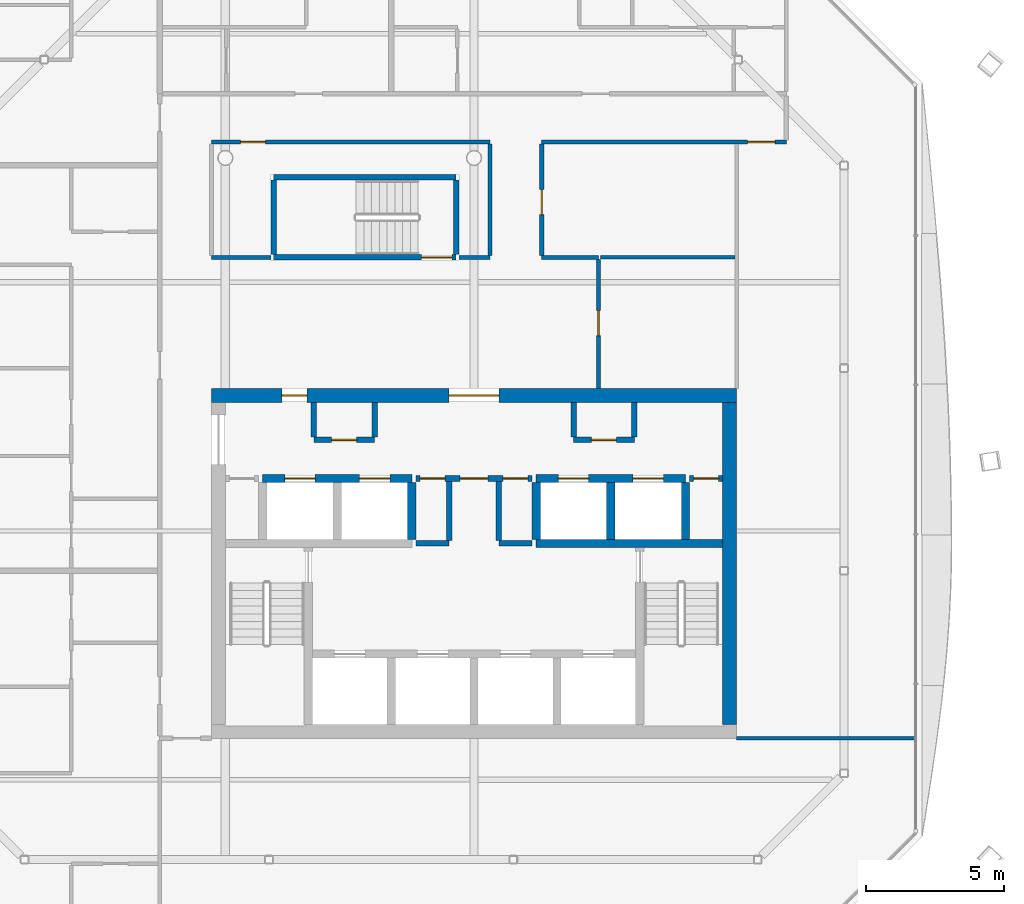
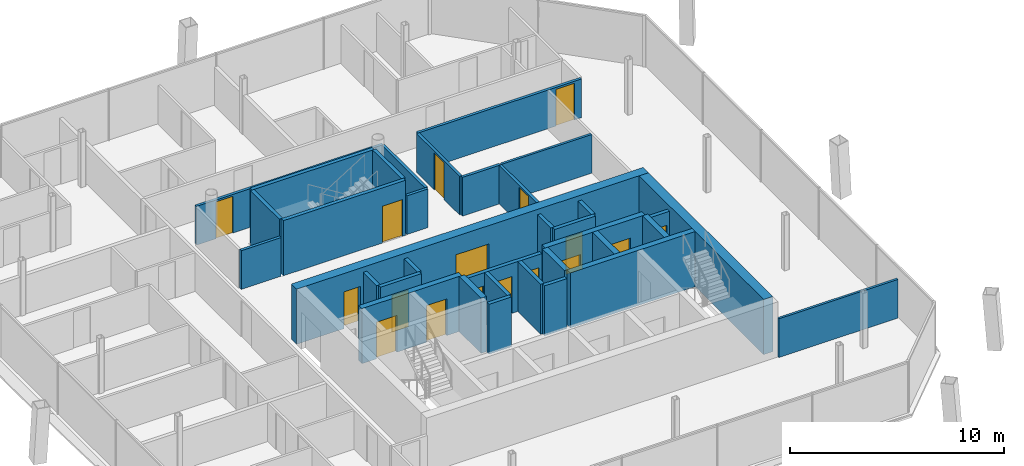
# One storey, part 13 of 18: 35 walls, 17 doors, 17 openings.
"""IFC4 building model written with IfcOpenShell, lengths in metres."""

from ifc_helpers import new_model, si_unit, direction, frame, frame_2d, origin, place, context, subcontext, project, spatial, rectangle, extrude, material, layer, layer_set, type_object, element, fill, save


model = new_model("IFC4")

# Units and contexts
model_context = context("Model", 3, precision=1e-05, world=origin(), true_north=direction((0.0, 1.0)))
body_context = subcontext(model_context, "Body", "Model", "MODEL_VIEW")
ifc_project = project(units=[si_unit("LENGTHUNIT", "METRE"), si_unit("AREAUNIT", "SQUARE_METRE"), si_unit("VOLUMEUNIT", "CUBIC_METRE"), si_unit("PLANEANGLEUNIT", "RADIAN"), si_unit("MASSUNIT", "GRAM", prefix="KILO")], contexts=[model_context])

# Site, building, storey
site_placement = place(None, origin())
site = spatial("IfcSite", under=ifc_project, at=site_placement, CompositionType="ELEMENT")
building_placement = place(site_placement, origin())
building = spatial("IfcBuilding", under=site, at=building_placement, Name="Tskaro Facet Tower", CompositionType="ELEMENT")
storey_placement = place(building_placement, frame((0.0, 0.0, 223.5)))
storey = spatial("IfcBuildingStorey", under=building, at=storey_placement, Name="L57", CompositionType="ELEMENT", Elevation=223.5)

# Wall
ifc_material_1 = material(Name="Concrete C60/75", Category="concrete")
ifc_layer_1 = layer(ifc_material_1, 0.300048828125, Name="Concrete C60/75")
ifc_layer_set_1 = layer_set([ifc_layer_1], Name="Concrete C60/75")
wall_type_1 = type_object("IfcWallType", Name="CORE-SHAFT", PredefinedType="SHEAR", material=ifc_layer_set_1)
wall_1_placement = place(storey_placement, frame((2.25, -4.949951171875, 0.0), z_axis=(0.0, 0.0, 1.0), x_axis=(1.0, 0.0, 0.0)))
element("IfcWall", 1, at=wall_1_placement, inside=storey, type_object=wall_type_1, Name="Shaft wall W014", PredefinedType="SHEAR", context=body_context, shape_type="SweptSolid", body=[
    extrude(rectangle(XDim=6.75, YDim=0.300048828125, at=frame_2d((3.375, 0.0))), origin(), (0.0, 0.0, 1.0), 3.14990234375),
])

# Wall, openings, doors
wall_2_placement = place(storey_placement, frame((-7.64990234375, -2.60009765625, 0.0), z_axis=(0.0, 0.0, 1.0), x_axis=(1.0, 0.0, 0.0)))
wall_2 = element("IfcWall", 2, at=wall_2_placement, inside=storey, type_object=wall_type_1, Name="Shaft wall W017", PredefinedType="SHEAR", context=body_context, shape_type="SweptSolid", body=[
    extrude(rectangle(XDim=5.39990234375, YDim=0.300048828125, at=frame_2d((2.699951171875, 0.0))), origin(), (0.0, 0.0, 1.0), 3.14990234375),
])
opening_1_placement = place(wall_2_placement, frame((0.800048828125, 0.0, 0.0)))
opening_1 = element("IfcOpeningElement", 3, at=opening_1_placement, cuts=wall_2, Name="Opening LD-HB1", PredefinedType="OPENING", context=body_context, shape_type="SweptSolid", body=[
    extrude(rectangle(XDim=1.10009765625, YDim=2.10009765625, at=frame_2d((0.550048828125, 1.050048828125))), frame((0.0, 0.159912109375, 0.0), z_axis=(0.0, -1.0, 0.0), x_axis=(1.0, 0.0, 0.0)), (0.0, 0.0, 1.0), 0.320068359375),
])
opening_2_placement = place(wall_2_placement, frame((3.5, 0.0, 0.0)))
opening_2 = element("IfcOpeningElement", 4, at=opening_2_placement, cuts=wall_2, Name="Opening LD-HB2", PredefinedType="OPENING", context=body_context, shape_type="SweptSolid", body=[
    extrude(rectangle(XDim=1.10009765625, YDim=2.10009765625, at=frame_2d((0.550048828125, 1.050048828125))), frame((0.0, 0.159912109375, 0.0), z_axis=(0.0, -1.0, 0.0), x_axis=(1.0, 0.0, 0.0)), (0.0, 0.0, 1.0), 0.320068359375),
])
ifc_material_2 = material(Name="Stainless steel", Category="steel")
door_type_1 = type_object("IfcDoorType", Name="D-LANDING", OperationType="NOTDEFINED", PredefinedType="DOOR", material=ifc_material_2)
door_1_placement = place(opening_1_placement, origin())
door_1 = element("IfcDoor", 5, at=door_1_placement, inside=storey, type_object=door_type_1, Name="Landing door HB1", OperationType="DOUBLE_DOOR_SLIDING", OverallHeight=2.10009765625, OverallWidth=1.10009765625, PredefinedType="DOOR", context=body_context, shape_type="SweptSolid", body=[
    extrude(rectangle(XDim=1.10009765625, YDim=2.10009765625, at=frame_2d((0.550048828125, 1.050048828125))), frame((0.0, 0.02490234375, 0.0), z_axis=(0.0, -1.0, 0.0), x_axis=(1.0, 0.0, 0.0)), (0.0, 0.0, 1.0), 0.050048828125),
])
fill(opening_1, door_1)
door_2_placement = place(opening_2_placement, origin())
door_2 = element("IfcDoor", 6, at=door_2_placement, inside=storey, type_object=door_type_1, Name="Landing door HB2", OperationType="DOUBLE_DOOR_SLIDING", OverallHeight=2.10009765625, OverallWidth=1.10009765625, PredefinedType="DOOR", context=body_context, shape_type="SweptSolid", body=[
    extrude(rectangle(XDim=1.10009765625, YDim=2.10009765625, at=frame_2d((0.550048828125, 1.050048828125))), frame((0.0, 0.02490234375, 0.0), z_axis=(0.0, -1.0, 0.0), x_axis=(1.0, 0.0, 0.0)), (0.0, 0.0, 1.0), 0.050048828125),
])
fill(opening_2, door_2)

wall_3_placement = place(storey_placement, frame((2.25, -2.60009765625, 0.0), z_axis=(0.0, 0.0, 1.0), x_axis=(1.0, 0.0, 0.0)))
wall_3 = element("IfcWall", 7, at=wall_3_placement, inside=storey, type_object=wall_type_1, Name="Shaft wall W019", PredefinedType="SHEAR", context=body_context, shape_type="SweptSolid", body=[
    extrude(rectangle(XDim=5.39990234375, YDim=0.300048828125, at=frame_2d((2.699951171875, 0.0))), origin(), (0.0, 0.0, 1.0), 3.14990234375),
])
opening_3_placement = place(wall_3_placement, frame((0.800048828125, 0.0, 0.0)))
opening_3 = element("IfcOpeningElement", 8, at=opening_3_placement, cuts=wall_3, Name="Opening LD-HB3", PredefinedType="OPENING", context=body_context, shape_type="SweptSolid", body=[
    extrude(rectangle(XDim=1.10009765625, YDim=2.10009765625, at=frame_2d((0.550048828125, 1.050048828125))), frame((0.0, 0.159912109375, 0.0), z_axis=(0.0, -1.0, 0.0), x_axis=(1.0, 0.0, 0.0)), (0.0, 0.0, 1.0), 0.320068359375),
])
opening_4_placement = place(wall_3_placement, frame((3.5, 0.0, 0.0)))
opening_4 = element("IfcOpeningElement", 9, at=opening_4_placement, cuts=wall_3, Name="Opening LD-HB4", PredefinedType="OPENING", context=body_context, shape_type="SweptSolid", body=[
    extrude(rectangle(XDim=1.10009765625, YDim=2.10009765625, at=frame_2d((0.550048828125, 1.050048828125))), frame((0.0, 0.159912109375, 0.0), z_axis=(0.0, -1.0, 0.0), x_axis=(1.0, 0.0, 0.0)), (0.0, 0.0, 1.0), 0.320068359375),
])
door_3_placement = place(opening_3_placement, origin())
door_3 = element("IfcDoor", 10, at=door_3_placement, inside=storey, type_object=door_type_1, Name="Landing door HB3", OperationType="DOUBLE_DOOR_SLIDING", OverallHeight=2.10009765625, OverallWidth=1.10009765625, PredefinedType="DOOR", context=body_context, shape_type="SweptSolid", body=[
    extrude(rectangle(XDim=1.10009765625, YDim=2.10009765625, at=frame_2d((0.550048828125, 1.050048828125))), frame((0.0, 0.02490234375, 0.0), z_axis=(0.0, -1.0, 0.0), x_axis=(1.0, 0.0, 0.0)), (0.0, 0.0, 1.0), 0.050048828125),
])
fill(opening_3, door_3)
door_4_placement = place(opening_4_placement, origin())
door_4 = element("IfcDoor", 11, at=door_4_placement, inside=storey, type_object=door_type_1, Name="Landing door HB4", OperationType="DOUBLE_DOOR_SLIDING", OverallHeight=2.10009765625, OverallWidth=1.10009765625, PredefinedType="DOOR", context=body_context, shape_type="SweptSolid", body=[
    extrude(rectangle(XDim=1.10009765625, YDim=2.10009765625, at=frame_2d((0.550048828125, 1.050048828125))), frame((0.0, 0.02490234375, 0.0), z_axis=(0.0, -1.0, 0.0), x_axis=(1.0, 0.0, 0.0)), (0.0, 0.0, 1.0), 0.050048828125),
])
fill(opening_4, door_4)

# Walls
for number, where, z_axis, x_axis, name in (
    (12, (-2.25, -4.800048828125, 0.0), (0.0, 0.0, 1.0), (0.0, 1.0, 0.0), "Shaft wall W065"),
    (13, (2.25, -4.800048828125, 0.0), (0.0, 0.0, 1.0), (0.0, 1.0, 0.0), "Shaft wall W072"),
    (14, (4.949951171875, -4.800048828125, 0.0), (0.0, 0.0, 1.0), (0.0, 1.0, 0.0), "Shaft wall W078"),
    (15, (7.64990234375, -4.800048828125, 0.0), (0.0, 0.0, 1.0), (0.0, 1.0, 0.0), "Shaft wall W083"),
):
    element("IfcWall", number, at=place(storey_placement, frame(where, z_axis=z_axis, x_axis=x_axis)), inside=storey, type_object=wall_type_1, Name=name, PredefinedType="SHEAR", context=body_context, shape_type="SweptSolid", body=[
        extrude(rectangle(XDim=2.050048828125, YDim=0.300048828125, at=frame_2d((1.02490234375, 0.0))), origin(), (0.0, 0.0, 1.0), 3.14990234375),
    ])
ifc_material_3 = material(Name="Concrete C20/25", Category="concrete")
ifc_layer_2 = layer(ifc_material_3, 0.199951171875, Name="Concrete C20/25")
ifc_layer_set_2 = layer_set([ifc_layer_2], Name="Concrete C20/25")
wall_type_2 = type_object("IfcWallType", Name="CORE-WALL", PredefinedType="SOLIDWALL", material=ifc_layer_set_2)
for number, where, z_axis, x_axis, name in (
    (16, (-2.10009765625, -4.949951171875, 0.0), (0.0, 0.0, 1.0), (1.0, 0.0, 0.0), "Core room wall W012"),
    (17, (0.89990234375, -4.949951171875, 0.0), (0.0, 0.0, 1.0), (1.0, 0.0, 0.0), "Core room wall W013"),
):
    element("IfcWall", number, at=place(storey_placement, frame(where, z_axis=z_axis, x_axis=x_axis)), inside=storey, type_object=wall_type_2, Name=name, PredefinedType="SOLIDWALL", context=body_context, shape_type="SweptSolid", body=[
        extrude(rectangle(XDim=1.2001953125, YDim=0.199951171875, at=frame_2d((0.60009765625, 0.0))), origin(), (0.0, 0.0, 1.0), 2.85009765625),
    ])

# Wall, openings, doors
wall_4_placement = place(storey_placement, frame((2.10009765625, -2.60009765625, 0.0), z_axis=(0.0, 0.0, 1.0), x_axis=(-1.0, 0.0, 0.0)))
wall_4 = element("IfcWall", 18, at=wall_4_placement, inside=storey, type_object=wall_type_2, Name="Core room wall W018", PredefinedType="SOLIDWALL", context=body_context, shape_type="SweptSolid", body=[
    extrude(rectangle(XDim=4.2001953125, YDim=0.199951171875, at=frame_2d((2.10009765625, 0.0))), origin(), (0.0, 0.0, 1.0), 2.85009765625),
])
opening_5_placement = place(wall_4_placement, frame((1.60009765625, 0.0, 0.0)))
opening_5 = element("IfcOpeningElement", 19, at=opening_5_placement, cuts=wall_4, Name="Opening FL-D1", PredefinedType="OPENING", context=body_context, shape_type="SweptSolid", body=[
    extrude(rectangle(XDim=1.0, YDim=2.10009765625, at=frame_2d((0.5, 1.050048828125))), frame((0.0, 0.10986328125, 0.0), z_axis=(0.0, -1.0, 0.0), x_axis=(1.0, 0.0, 0.0)), (0.0, 0.0, 1.0), 0.219970703125),
])
opening_6_placement = place(wall_4_placement, frame((3.14990234375, 0.0, 0.0)))
opening_6 = element("IfcOpeningElement", 20, at=opening_6_placement, cuts=wall_4, Name="Opening T16-D09", PredefinedType="OPENING", context=body_context, shape_type="SweptSolid", body=[
    extrude(rectangle(XDim=0.89990234375, YDim=2.10009765625, at=frame_2d((0.449951171875, 1.050048828125))), frame((0.0, 0.10986328125, 0.0), z_axis=(0.0, -1.0, 0.0), x_axis=(1.0, 0.0, 0.0)), (0.0, 0.0, 1.0), 0.219970703125),
])
opening_7_placement = place(wall_4_placement, frame((0.14990234375, 0.0, 0.0)))
opening_7 = element("IfcOpeningElement", 21, at=opening_7_placement, cuts=wall_4, Name="Opening T16-D10", PredefinedType="OPENING", context=body_context, shape_type="SweptSolid", body=[
    extrude(rectangle(XDim=0.89990234375, YDim=2.10009765625, at=frame_2d((0.449951171875, 1.050048828125))), frame((0.0, 0.10986328125, 0.0), z_axis=(0.0, -1.0, 0.0), x_axis=(1.0, 0.0, 0.0)), (0.0, 0.0, 1.0), 0.219970703125),
])
ifc_material_4 = material(Name="Steel", Category="steel")
door_type_2 = type_object("IfcDoorType", Name="D-LOBBY", OperationType="NOTDEFINED", PredefinedType="DOOR", material=ifc_material_4)
door_5_placement = place(opening_5_placement, origin())
door_5 = element("IfcDoor", 22, at=door_5_placement, inside=storey, type_object=door_type_2, Name="Lobby door FL", OperationType="SINGLE_SWING_RIGHT", OverallHeight=2.10009765625, OverallWidth=1.0, PredefinedType="DOOR", context=body_context, shape_type="SweptSolid", body=[
    extrude(rectangle(XDim=1.0, YDim=2.10009765625, at=frame_2d((0.5, 1.050048828125))), frame((0.0, 0.02490234375, 0.0), z_axis=(0.0, -1.0, 0.0), x_axis=(1.0, 0.0, 0.0)), (0.0, 0.0, 1.0), 0.050048828125),
])
fill(opening_5, door_5)
ifc_material_5 = material(Name="Timber", Category="wood")
door_type_3 = type_object("IfcDoorType", Name="D-ROOM", OperationType="NOTDEFINED", PredefinedType="DOOR", material=ifc_material_5)
door_6_placement = place(opening_6_placement, origin())
door_6 = element("IfcDoor", 23, at=door_6_placement, inside=storey, type_object=door_type_3, Name="Door T16-D09", OperationType="SINGLE_SWING_RIGHT", OverallHeight=2.10009765625, OverallWidth=0.89990234375, PredefinedType="DOOR", context=body_context, shape_type="SweptSolid", body=[
    extrude(rectangle(XDim=0.89990234375, YDim=2.10009765625, at=frame_2d((0.449951171875, 1.050048828125))), frame((0.0, 0.02490234375, 0.0), z_axis=(0.0, -1.0, 0.0), x_axis=(1.0, 0.0, 0.0)), (0.0, 0.0, 1.0), 0.050048828125),
])
fill(opening_6, door_6)
door_7_placement = place(opening_7_placement, origin())
door_7 = element("IfcDoor", 24, at=door_7_placement, inside=storey, type_object=door_type_3, Name="Door T16-D10", OperationType="SINGLE_SWING_RIGHT", OverallHeight=2.10009765625, OverallWidth=0.89990234375, PredefinedType="DOOR", context=body_context, shape_type="SweptSolid", body=[
    extrude(rectangle(XDim=0.89990234375, YDim=2.10009765625, at=frame_2d((0.449951171875, 1.050048828125))), frame((0.0, 0.02490234375, 0.0), z_axis=(0.0, -1.0, 0.0), x_axis=(1.0, 0.0, 0.0)), (0.0, 0.0, 1.0), 0.050048828125),
])
fill(opening_7, door_7)

# Wall, opening, door
wall_5_placement = place(storey_placement, frame((9.0, -2.60009765625, 0.0), z_axis=(0.0, 0.0, 1.0), x_axis=(-1.0, 0.0, 0.0)))
wall_5 = element("IfcWall", 25, at=wall_5_placement, inside=storey, type_object=wall_type_2, Name="Core room wall W020", PredefinedType="SOLIDWALL", context=body_context, shape_type="SweptSolid", body=[
    extrude(rectangle(XDim=1.199951171875, YDim=0.199951171875, at=frame_2d((0.60009765625, 0.0))), origin(), (0.0, 0.0, 1.0), 2.85009765625),
])
opening_8_placement = place(wall_5_placement, frame((0.14990234375, 0.0, 0.0)))
opening_8 = element("IfcOpeningElement", 26, at=opening_8_placement, cuts=wall_5, Name="Opening T16-D11", PredefinedType="OPENING", context=body_context, shape_type="SweptSolid", body=[
    extrude(rectangle(XDim=0.89990234375, YDim=2.10009765625, at=frame_2d((0.449951171875, 1.050048828125))), frame((0.0, 0.10986328125, 0.0), z_axis=(0.0, -1.0, 0.0), x_axis=(1.0, 0.0, 0.0)), (0.0, 0.0, 1.0), 0.219970703125),
])
door_8_placement = place(opening_8_placement, origin())
door_8 = element("IfcDoor", 27, at=door_8_placement, inside=storey, type_object=door_type_3, Name="Door T16-D11", OperationType="SINGLE_SWING_RIGHT", OverallHeight=2.10009765625, OverallWidth=0.89990234375, PredefinedType="DOOR", context=body_context, shape_type="SweptSolid", body=[
    extrude(rectangle(XDim=0.89990234375, YDim=2.10009765625, at=frame_2d((0.449951171875, 1.050048828125))), frame((0.0, 0.02490234375, 0.0), z_axis=(0.0, -1.0, 0.0), x_axis=(1.0, 0.0, 0.0)), (0.0, 0.0, 1.0), 0.050048828125),
])
fill(opening_8, door_8)

wall_6_placement = place(storey_placement, frame((-5.800048828125, -1.199951171875, 0.0), z_axis=(0.0, 0.0, 1.0), x_axis=(1.0, 0.0, 0.0)))
wall_6 = element("IfcWall", 28, at=wall_6_placement, inside=storey, type_object=wall_type_2, Name="Core room wall W022", PredefinedType="SOLIDWALL", context=body_context, shape_type="SweptSolid", body=[
    extrude(rectangle(XDim=2.199951171875, YDim=0.199951171875, at=frame_2d((1.10009765625, 0.0))), origin(), (0.0, 0.0, 1.0), 2.85009765625),
])
opening_9_placement = place(wall_6_placement, frame((0.64990234375, 0.0, 0.0)))
opening_9 = element("IfcOpeningElement", 29, at=opening_9_placement, cuts=wall_6, Name="Opening T16-D14", PredefinedType="OPENING", context=body_context, shape_type="SweptSolid", body=[
    extrude(rectangle(XDim=0.89990234375, YDim=2.10009765625, at=frame_2d((0.449951171875, 1.050048828125))), frame((0.0, 0.10986328125, 0.0), z_axis=(0.0, -1.0, 0.0), x_axis=(1.0, 0.0, 0.0)), (0.0, 0.0, 1.0), 0.219970703125),
])
door_9_placement = place(opening_9_placement, origin())
door_9 = element("IfcDoor", 30, at=door_9_placement, inside=storey, type_object=door_type_3, Name="Door T16-D14", OperationType="SINGLE_SWING_LEFT", OverallHeight=2.10009765625, OverallWidth=0.89990234375, PredefinedType="DOOR", context=body_context, shape_type="SweptSolid", body=[
    extrude(rectangle(XDim=0.89990234375, YDim=2.10009765625, at=frame_2d((0.449951171875, 1.050048828125))), frame((0.0, 0.02490234375, 0.0), z_axis=(0.0, -1.0, 0.0), x_axis=(1.0, 0.0, 0.0)), (0.0, 0.0, 1.0), 0.050048828125),
])
fill(opening_9, door_9)

wall_7_placement = place(storey_placement, frame((3.60009765625, -1.199951171875, 0.0), z_axis=(0.0, 0.0, 1.0), x_axis=(1.0, 0.0, 0.0)))
wall_7 = element("IfcWall", 31, at=wall_7_placement, inside=storey, type_object=wall_type_2, Name="Core room wall W023", PredefinedType="SOLIDWALL", context=body_context, shape_type="SweptSolid", body=[
    extrude(rectangle(XDim=2.199951171875, YDim=0.199951171875, at=frame_2d((1.10009765625, 0.0))), origin(), (0.0, 0.0, 1.0), 2.85009765625),
])
opening_10_placement = place(wall_7_placement, frame((0.64990234375, 0.0, 0.0)))
opening_10 = element("IfcOpeningElement", 32, at=opening_10_placement, cuts=wall_7, Name="Opening T16-D15", PredefinedType="OPENING", context=body_context, shape_type="SweptSolid", body=[
    extrude(rectangle(XDim=0.89990234375, YDim=2.10009765625, at=frame_2d((0.449951171875, 1.050048828125))), frame((0.0, 0.10986328125, 0.0), z_axis=(0.0, -1.0, 0.0), x_axis=(1.0, 0.0, 0.0)), (0.0, 0.0, 1.0), 0.219970703125),
])
door_10_placement = place(opening_10_placement, origin())
door_10 = element("IfcDoor", 33, at=door_10_placement, inside=storey, type_object=door_type_3, Name="Door T16-D15", OperationType="SINGLE_SWING_LEFT", OverallHeight=2.10009765625, OverallWidth=0.89990234375, PredefinedType="DOOR", context=body_context, shape_type="SweptSolid", body=[
    extrude(rectangle(XDim=0.89990234375, YDim=2.10009765625, at=frame_2d((0.449951171875, 1.050048828125))), frame((0.0, 0.02490234375, 0.0), z_axis=(0.0, -1.0, 0.0), x_axis=(1.0, 0.0, 0.0)), (0.0, 0.0, 1.0), 0.050048828125),
])
fill(opening_10, door_10)

# Walls
for number, where, z_axis, x_axis, name in (
    (34, (-5.800048828125, -1.10009765625, 0.0), (0.0, 0.0, 1.0), (0.0, 1.0, 0.0), "Core room wall W059"),
    (35, (-3.60009765625, -1.10009765625, 0.0), (0.0, 0.0, 1.0), (0.0, 1.0, 0.0), "Core room wall W061"),
):
    element("IfcWall", number, at=place(storey_placement, frame(where, z_axis=z_axis, x_axis=x_axis)), inside=storey, type_object=wall_type_2, Name=name, PredefinedType="SOLIDWALL", context=body_context, shape_type="SweptSolid", body=[
        extrude(rectangle(XDim=1.25, YDim=0.199951171875, at=frame_2d((0.625, 0.0))), origin(), (0.0, 0.0, 1.0), 2.85009765625),
    ])
for number, where, z_axis, x_axis, name in (
    (36, (-0.89990234375, -4.85009765625, 0.0), (0.0, 0.0, 1.0), (0.0, 1.0, 0.0), "Core room wall W066"),
    (37, (0.89990234375, -4.85009765625, 0.0), (0.0, 0.0, 1.0), (0.0, 1.0, 0.0), "Core room wall W071"),
):
    element("IfcWall", number, at=place(storey_placement, frame(where, z_axis=z_axis, x_axis=x_axis)), inside=storey, type_object=wall_type_2, Name=name, PredefinedType="SOLIDWALL", context=body_context, shape_type="SweptSolid", body=[
        extrude(rectangle(XDim=2.150146484375, YDim=0.199951171875, at=frame_2d((1.0751953125, 0.0))), origin(), (0.0, 0.0, 1.0), 2.85009765625),
    ])
for number, where, z_axis, x_axis, name in (
    (38, (3.60009765625, -1.10009765625, 0.0), (0.0, 0.0, 1.0), (0.0, 1.0, 0.0), "Core room wall W075"),
    (39, (5.800048828125, -1.10009765625, 0.0), (0.0, 0.0, 1.0), (0.0, 1.0, 0.0), "Core room wall W081"),
):
    element("IfcWall", number, at=place(storey_placement, frame(where, z_axis=z_axis, x_axis=x_axis)), inside=storey, type_object=wall_type_2, Name=name, PredefinedType="SOLIDWALL", context=body_context, shape_type="SweptSolid", body=[
        extrude(rectangle(XDim=1.25, YDim=0.199951171875, at=frame_2d((0.625, 0.0))), origin(), (0.0, 0.0, 1.0), 2.85009765625),
    ])

# Wall, openings, doors
ifc_material_6 = material(Name="Concrete C40/50", Category="concrete")
ifc_layer_3 = layer(ifc_material_6, 0.5, Name="Concrete C40/50")
ifc_layer_set_3 = layer_set([ifc_layer_3], Name="Concrete C40/50")
wall_type_3 = type_object("IfcWallType", Name="Core wall 500", PredefinedType="SHEAR", material=ifc_layer_set_3)
wall_8_placement = place(storey_placement, frame((-9.5, 0.39990234375, 0.0), z_axis=(0.0, 0.0, 1.0), x_axis=(1.0, 0.0, 0.0)))
wall_8 = element("IfcWall", 40, at=wall_8_placement, inside=storey, type_object=wall_type_3, Name="Core wall CW-Z3N", PredefinedType="SHEAR", context=body_context, shape_type="SweptSolid", body=[
    extrude(rectangle(XDim=19.0, YDim=0.5, at=frame_2d((9.5, 0.0))), origin(), (0.0, 0.0, 1.0), 3.14990234375),
])
opening_11_placement = place(wall_8_placement, frame((8.60009765625, 0.0, 0.0)))
opening_11 = element("IfcOpeningElement", 41, at=opening_11_placement, cuts=wall_8, Name="Opening T16-D18", PredefinedType="OPENING", context=body_context, shape_type="SweptSolid", body=[
    extrude(rectangle(XDim=1.800048828125, YDim=2.10009765625, at=frame_2d((0.89990234375, 1.050048828125))), frame((0.0, 0.260009765625, 0.0), z_axis=(0.0, -1.0, 0.0), x_axis=(1.0, 0.0, 0.0)), (0.0, 0.0, 1.0), 0.52001953125),
])
opening_12_placement = place(wall_8_placement, frame((2.550048828125, 0.0, 0.0)))
opening_12 = element("IfcOpeningElement", 42, at=opening_12_placement, cuts=wall_8, Name="Opening T16-D17", PredefinedType="OPENING", context=body_context, shape_type="SweptSolid", body=[
    extrude(rectangle(XDim=0.89990234375, YDim=2.10009765625, at=frame_2d((0.449951171875, 1.050048828125))), frame((0.0, 0.260009765625, 0.0), z_axis=(0.0, -1.0, 0.0), x_axis=(1.0, 0.0, 0.0)), (0.0, 0.0, 1.0), 0.52001953125),
])
door_type_4 = type_object("IfcDoorType", Name="D-CORE-PAIR", OperationType="NOTDEFINED", PredefinedType="DOOR", material=ifc_material_4)
door_11_placement = place(opening_11_placement, origin())
door_11 = element("IfcDoor", 43, at=door_11_placement, inside=storey, type_object=door_type_4, Name="Door T16-D18", OperationType="DOUBLE_DOOR_SINGLE_SWING", OverallHeight=2.10009765625, OverallWidth=1.800048828125, PredefinedType="DOOR", context=body_context, shape_type="SweptSolid", body=[
    extrude(rectangle(XDim=1.800048828125, YDim=2.10009765625, at=frame_2d((0.89990234375, 1.050048828125))), frame((0.0, 0.02490234375, 0.0), z_axis=(0.0, -1.0, 0.0), x_axis=(1.0, 0.0, 0.0)), (0.0, 0.0, 1.0), 0.050048828125),
])
fill(opening_11, door_11)
door_12_placement = place(opening_12_placement, origin())
door_12 = element("IfcDoor", 44, at=door_12_placement, inside=storey, type_object=door_type_3, Name="Door T16-D17", OperationType="SINGLE_SWING_LEFT", OverallHeight=2.10009765625, OverallWidth=0.89990234375, PredefinedType="DOOR", context=body_context, shape_type="SweptSolid", body=[
    extrude(rectangle(XDim=0.89990234375, YDim=2.10009765625, at=frame_2d((0.449951171875, 1.050048828125))), frame((0.0, 0.02490234375, 0.0), z_axis=(0.0, -1.0, 0.0), x_axis=(1.0, 0.0, 0.0)), (0.0, 0.0, 1.0), 0.050048828125),
])
fill(opening_12, door_12)

# Walls
wall_9_placement = place(storey_placement, frame((9.25, -11.5, 0.0), z_axis=(0.0, 0.0, 1.0), x_axis=(0.0, 1.0, 0.0)))
element("IfcWall", 45, at=wall_9_placement, inside=storey, type_object=wall_type_3, Name="Core wall CW-Z3E", PredefinedType="SHEAR", context=body_context, shape_type="SweptSolid", body=[
    extrude(rectangle(XDim=11.64990234375, YDim=0.5, at=frame_2d((5.824951171875, 0.0))), origin(), (0.0, 0.0, 1.0), 3.14990234375),
])
ifc_material_7 = material(Name="Gypsum board on steel studs", Category="steel")
ifc_layer_4 = layer(ifc_material_7, 0.125, Name="Gypsum board on steel studs")
ifc_layer_set_4 = layer_set([ifc_layer_4], Name="Gypsum board on steel studs")
wall_type_4 = type_object("IfcWallType", Name="PART", PredefinedType="PARTITIONING", material=ifc_layer_set_4)
wall_10_placement = place(storey_placement, frame((9.5, -12.0, 0.0), z_axis=(0.0, 0.0, 1.0), x_axis=(1.0, 0.0, 0.0)))
element("IfcWall", 46, at=wall_10_placement, inside=storey, type_object=wall_type_4, Name="Partition W005", PredefinedType="PARTITIONING", context=body_context, shape_type="SweptSolid", body=[
    extrude(rectangle(XDim=6.43505859375, YDim=0.125, at=frame_2d((3.217529296875, 0.0))), origin(), (0.0, 0.0, 1.0), 2.2099609375),
])
wall_11_placement = place(storey_placement, frame((4.574951171875, 5.39990234375, 0.0), z_axis=(0.0, 0.0, 1.0), x_axis=(1.0, 0.0, 0.0)))
element("IfcWall", 47, at=wall_11_placement, inside=storey, type_object=wall_type_4, Name="Partition W031", PredefinedType="PARTITIONING", context=body_context, shape_type="SweptSolid", body=[
    extrude(rectangle(XDim=4.862548828125, YDim=0.125, at=frame_2d((2.43115234375, 0.0))), origin(), (0.0, 0.0, 1.0), 2.2099609375),
])
ifc_layer_5 = layer(ifc_material_7, 0.14990234375, Name="Gypsum board on steel studs")
ifc_layer_set_5 = layer_set([ifc_layer_5], Name="Gypsum board on steel studs")
wall_type_5 = type_object("IfcWallType", Name="PART-CORR", PredefinedType="PARTITIONING", material=ifc_layer_set_5)
wall_12_placement = place(storey_placement, frame((-9.5, 5.39990234375, 0.0), z_axis=(0.0, 0.0, 1.0), x_axis=(1.0, 0.0, 0.0)))
element("IfcWall", 48, at=wall_12_placement, inside=storey, type_object=wall_type_5, Name="Corridor wall W027", PredefinedType="PARTITIONING", context=body_context, shape_type="SweptSolid", body=[
    extrude(rectangle(XDim=2.14990234375, YDim=0.14990234375, at=frame_2d((1.074951171875, 0.0))), origin(), (0.0, 0.0, 1.0), 2.2099609375),
])
wall_13_placement = place(storey_placement, frame((-0.550048828125, 5.39990234375, 0.0), z_axis=(0.0, 0.0, 1.0), x_axis=(1.0, 0.0, 0.0)))
element("IfcWall", 49, at=wall_13_placement, inside=storey, type_object=wall_type_5, Name="Corridor wall W029", PredefinedType="PARTITIONING", context=body_context, shape_type="SweptSolid", body=[
    extrude(rectangle(XDim=1.125, YDim=0.14990234375, at=frame_2d((0.5625, 0.0))), origin(), (0.0, 0.0, 1.0), 2.2099609375),
])
wall_14_placement = place(storey_placement, frame((2.449951171875, 5.39990234375, 0.0), z_axis=(0.0, 0.0, 1.0), x_axis=(1.0, 0.0, 0.0)))
element("IfcWall", 50, at=wall_14_placement, inside=storey, type_object=wall_type_5, Name="Corridor wall W030", PredefinedType="PARTITIONING", context=body_context, shape_type="SweptSolid", body=[
    extrude(rectangle(XDim=2.050048828125, YDim=0.14990234375, at=frame_2d((1.02490234375, 0.0))), origin(), (0.0, 0.0, 1.0), 2.2099609375),
])

# Wall, opening, door
wall_15_placement = place(storey_placement, frame((0.574951171875, 9.574951171875, 0.0), z_axis=(0.0, 0.0, 1.0), x_axis=(-1.0, 0.0, 0.0)))
wall_15 = element("IfcWall", 51, at=wall_15_placement, inside=storey, type_object=wall_type_5, Name="Corridor wall W036", PredefinedType="PARTITIONING", context=body_context, shape_type="SweptSolid", body=[
    extrude(rectangle(XDim=10.074951171875, YDim=0.14990234375, at=frame_2d((5.03759765625, 0.0))), origin(), (0.0, 0.0, 1.0), 2.2099609375),
])
opening_13_placement = place(wall_15_placement, frame((8.125, 0.0, 0.0)))
opening_13 = element("IfcOpeningElement", 52, at=opening_13_placement, cuts=wall_15, Name="Opening T16-D24", PredefinedType="OPENING", context=body_context, shape_type="SweptSolid", body=[
    extrude(rectangle(XDim=0.89990234375, YDim=2.10009765625, at=frame_2d((0.449951171875, 1.050048828125))), frame((0.0, 0.0849609375, 0.0), z_axis=(0.0, -1.0, 0.0), x_axis=(1.0, 0.0, 0.0)), (0.0, 0.0, 1.0), 0.169921875),
])
door_13_placement = place(opening_13_placement, origin())
door_13 = element("IfcDoor", 53, at=door_13_placement, inside=storey, type_object=door_type_3, Name="Door T16-D24", OperationType="SINGLE_SWING_RIGHT", OverallHeight=2.10009765625, OverallWidth=0.89990234375, PredefinedType="DOOR", context=body_context, shape_type="SweptSolid", body=[
    extrude(rectangle(XDim=0.89990234375, YDim=2.10009765625, at=frame_2d((0.449951171875, 1.050048828125))), frame((0.0, 0.02490234375, 0.0), z_axis=(0.0, -1.0, 0.0), x_axis=(1.0, 0.0, 0.0)), (0.0, 0.0, 1.0), 0.050048828125),
])
fill(opening_13, door_13)

wall_16_placement = place(storey_placement, frame((11.300048828125, 9.574951171875, 0.0), z_axis=(0.0, 0.0, 1.0), x_axis=(-1.0, 0.0, 0.0)))
wall_16 = element("IfcWall", 54, at=wall_16_placement, inside=storey, type_object=wall_type_5, Name="Corridor wall W037", PredefinedType="PARTITIONING", context=body_context, shape_type="SweptSolid", body=[
    extrude(rectangle(XDim=8.85009765625, YDim=0.14990234375, at=frame_2d((4.425048828125, 0.0))), origin(), (0.0, 0.0, 1.0), 2.2099609375),
])
opening_14_placement = place(wall_16_placement, frame((0.39990234375, 0.0, 0.0)))
opening_14 = element("IfcOpeningElement", 55, at=opening_14_placement, cuts=wall_16, Name="Opening T16-D25", PredefinedType="OPENING", context=body_context, shape_type="SweptSolid", body=[
    extrude(rectangle(XDim=1.0, YDim=2.10009765625, at=frame_2d((0.5, 1.050048828125))), frame((0.0, 0.0849609375, 0.0), z_axis=(0.0, -1.0, 0.0), x_axis=(1.0, 0.0, 0.0)), (0.0, 0.0, 1.0), 0.169921875),
])
door_type_5 = type_object("IfcDoorType", Name="D-ROOM-WIDE", OperationType="NOTDEFINED", PredefinedType="DOOR", material=ifc_material_5)
door_14_placement = place(opening_14_placement, origin())
door_14 = element("IfcDoor", 56, at=door_14_placement, inside=storey, type_object=door_type_5, Name="Door T16-D25", OperationType="SINGLE_SWING_RIGHT", OverallHeight=2.10009765625, OverallWidth=1.0, PredefinedType="DOOR", context=body_context, shape_type="SweptSolid", body=[
    extrude(rectangle(XDim=1.0, YDim=2.10009765625, at=frame_2d((0.5, 1.050048828125))), frame((0.0, 0.02490234375, 0.0), z_axis=(0.0, -1.0, 0.0), x_axis=(1.0, 0.0, 0.0)), (0.0, 0.0, 1.0), 0.050048828125),
])
fill(opening_14, door_14)

# Wall
wall_17_placement = place(storey_placement, frame((0.574951171875, 5.47509765625, 0.0), z_axis=(0.0, 0.0, 1.0), x_axis=(0.0, 1.0, 0.0)))
element("IfcWall", 57, at=wall_17_placement, inside=storey, type_object=wall_type_5, Name="Corridor wall W070", PredefinedType="PARTITIONING", context=body_context, shape_type="SweptSolid", body=[
    extrude(rectangle(XDim=4.02490234375, YDim=0.14990234375, at=frame_2d((2.012451171875, 0.0))), origin(), (0.0, 0.0, 1.0), 2.2099609375),
])

# Wall, opening, door
wall_18_placement = place(storey_placement, frame((2.449951171875, 9.5, 0.0), z_axis=(0.0, 0.0, 1.0), x_axis=(0.0, -1.0, 0.0)))
wall_18 = element("IfcWall", 58, at=wall_18_placement, inside=storey, type_object=wall_type_5, Name="Corridor wall W073", PredefinedType="PARTITIONING", context=body_context, shape_type="SweptSolid", body=[
    extrude(rectangle(XDim=4.02490234375, YDim=0.14990234375, at=frame_2d((2.012451171875, 0.0))), origin(), (0.0, 0.0, 1.0), 2.2099609375),
])
opening_15_placement = place(wall_18_placement, frame((1.64990234375, 0.0, 0.0)))
opening_15 = element("IfcOpeningElement", 59, at=opening_15_placement, cuts=wall_18, Name="Opening T16-D23", PredefinedType="OPENING", context=body_context, shape_type="SweptSolid", body=[
    extrude(rectangle(XDim=0.89990234375, YDim=2.10009765625, at=frame_2d((0.449951171875, 1.050048828125))), frame((0.0, 0.0849609375, 0.0), z_axis=(0.0, -1.0, 0.0), x_axis=(1.0, 0.0, 0.0)), (0.0, 0.0, 1.0), 0.169921875),
])
door_15_placement = place(opening_15_placement, origin())
door_15 = element("IfcDoor", 60, at=door_15_placement, inside=storey, type_object=door_type_3, Name="Door T16-D23", OperationType="SINGLE_SWING_RIGHT", OverallHeight=2.10009765625, OverallWidth=0.89990234375, PredefinedType="DOOR", context=body_context, shape_type="SweptSolid", body=[
    extrude(rectangle(XDim=0.89990234375, YDim=2.10009765625, at=frame_2d((0.449951171875, 1.050048828125))), frame((0.0, 0.02490234375, 0.0), z_axis=(0.0, -1.0, 0.0), x_axis=(1.0, 0.0, 0.0)), (0.0, 0.0, 1.0), 0.050048828125),
])
fill(opening_15, door_15)

wall_19_placement = place(storey_placement, frame((4.5, 5.324951171875, 0.0), z_axis=(0.0, 0.0, 1.0), x_axis=(0.0, -1.0, 0.0)))
wall_19 = element("IfcWall", 61, at=wall_19_placement, inside=storey, type_object=wall_type_5, Name="Corridor wall W077", PredefinedType="PARTITIONING", context=body_context, shape_type="SweptSolid", body=[
    extrude(rectangle(XDim=4.675048828125, YDim=0.14990234375, at=frame_2d((2.33740234375, 0.0))), origin(), (0.0, 0.0, 1.0), 2.2099609375),
])
opening_16_placement = place(wall_19_placement, frame((1.85009765625, 0.0, 0.0)))
opening_16 = element("IfcOpeningElement", 62, at=opening_16_placement, cuts=wall_19, Name="Opening T16-D20", PredefinedType="OPENING", context=body_context, shape_type="SweptSolid", body=[
    extrude(rectangle(XDim=0.89990234375, YDim=2.10009765625, at=frame_2d((0.449951171875, 1.050048828125))), frame((0.0, 0.0849609375, 0.0), z_axis=(0.0, -1.0, 0.0), x_axis=(1.0, 0.0, 0.0)), (0.0, 0.0, 1.0), 0.169921875),
])
door_16_placement = place(opening_16_placement, origin())
door_16 = element("IfcDoor", 63, at=door_16_placement, inside=storey, type_object=door_type_3, Name="Door T16-D20", OperationType="SINGLE_SWING_RIGHT", OverallHeight=2.10009765625, OverallWidth=0.89990234375, PredefinedType="DOOR", context=body_context, shape_type="SweptSolid", body=[
    extrude(rectangle(XDim=0.89990234375, YDim=2.10009765625, at=frame_2d((0.449951171875, 1.050048828125))), frame((0.0, 0.02490234375, 0.0), z_axis=(0.0, -1.0, 0.0), x_axis=(1.0, 0.0, 0.0)), (0.0, 0.0, 1.0), 0.050048828125),
])
fill(opening_16, door_16)

ifc_layer_6 = layer(ifc_material_1, 0.199951171875, Name="Concrete C60/75")
ifc_layer_set_6 = layer_set([ifc_layer_6], Name="Concrete C60/75")
wall_type_6 = type_object("IfcWallType", Name="STAIR-WALL", PredefinedType="SHEAR", material=ifc_layer_set_6)
wall_20_placement = place(storey_placement, frame((-7.25, 5.39990234375, 0.0), z_axis=(0.0, 0.0, 1.0), x_axis=(1.0, 0.0, 0.0)))
wall_20 = element("IfcWall", 64, at=wall_20_placement, inside=storey, type_object=wall_type_6, Name="Stair wall W028", PredefinedType="SHEAR", context=body_context, shape_type="SweptSolid", body=[
    extrude(rectangle(XDim=6.60009765625, YDim=0.199951171875, at=frame_2d((3.300048828125, 0.0))), origin(), (0.0, 0.0, 1.0), 3.14990234375),
])
opening_17_placement = place(wall_20_placement, frame((5.35009765625, 0.0, 0.0)))
opening_17 = element("IfcOpeningElement", 65, at=opening_17_placement, cuts=wall_20, Name="Opening ST-3-D1", PredefinedType="OPENING", context=body_context, shape_type="SweptSolid", body=[
    extrude(rectangle(XDim=1.10009765625, YDim=2.10009765625, at=frame_2d((0.550048828125, 1.050048828125))), frame((0.0, 0.10986328125, 0.0), z_axis=(0.0, -1.0, 0.0), x_axis=(1.0, 0.0, 0.0)), (0.0, 0.0, 1.0), 0.219970703125),
])
door_type_6 = type_object("IfcDoorType", Name="D-STAIR", OperationType="NOTDEFINED", PredefinedType="DOOR", material=ifc_material_4)
door_17_placement = place(opening_17_placement, origin())
door_17 = element("IfcDoor", 66, at=door_17_placement, inside=storey, type_object=door_type_6, Name="Stair door 3", OperationType="SINGLE_SWING_LEFT", OverallHeight=2.10009765625, OverallWidth=1.10009765625, PredefinedType="DOOR", context=body_context, shape_type="SweptSolid", body=[
    extrude(rectangle(XDim=1.10009765625, YDim=2.10009765625, at=frame_2d((0.550048828125, 1.050048828125))), frame((0.0, 0.02490234375, 0.0), z_axis=(0.0, -1.0, 0.0), x_axis=(1.0, 0.0, 0.0)), (0.0, 0.0, 1.0), 0.050048828125),
])
fill(opening_17, door_17)

# Walls
wall_21_placement = place(storey_placement, frame((-7.25, 8.300048828125, 0.0), z_axis=(0.0, 0.0, 1.0), x_axis=(1.0, 0.0, 0.0)))
element("IfcWall", 67, at=wall_21_placement, inside=storey, type_object=wall_type_6, Name="Stair wall W033", PredefinedType="SHEAR", context=body_context, shape_type="SweptSolid", body=[
    extrude(rectangle(XDim=6.60009765625, YDim=0.199951171875, at=frame_2d((3.300048828125, 0.0))), origin(), (0.0, 0.0, 1.0), 3.14990234375),
])
for number, where, z_axis, x_axis, name in (
    (68, (-7.25, 5.5, 0.0), (0.0, 0.0, 1.0), (0.0, 1.0, 0.0), "Stair wall W056"),
    (69, (-0.64990234375, 5.5, 0.0), (0.0, 0.0, 1.0), (0.0, 1.0, 0.0), "Stair wall W067"),
):
    element("IfcWall", number, at=place(storey_placement, frame(where, z_axis=z_axis, x_axis=x_axis)), inside=storey, type_object=wall_type_6, Name=name, PredefinedType="SHEAR", context=body_context, shape_type="SweptSolid", body=[
        extrude(rectangle(XDim=2.699951171875, YDim=0.199951171875, at=frame_2d((1.35009765625, 0.0))), origin(), (0.0, 0.0, 1.0), 3.14990234375),
    ])

save(model, "model.ifc")
